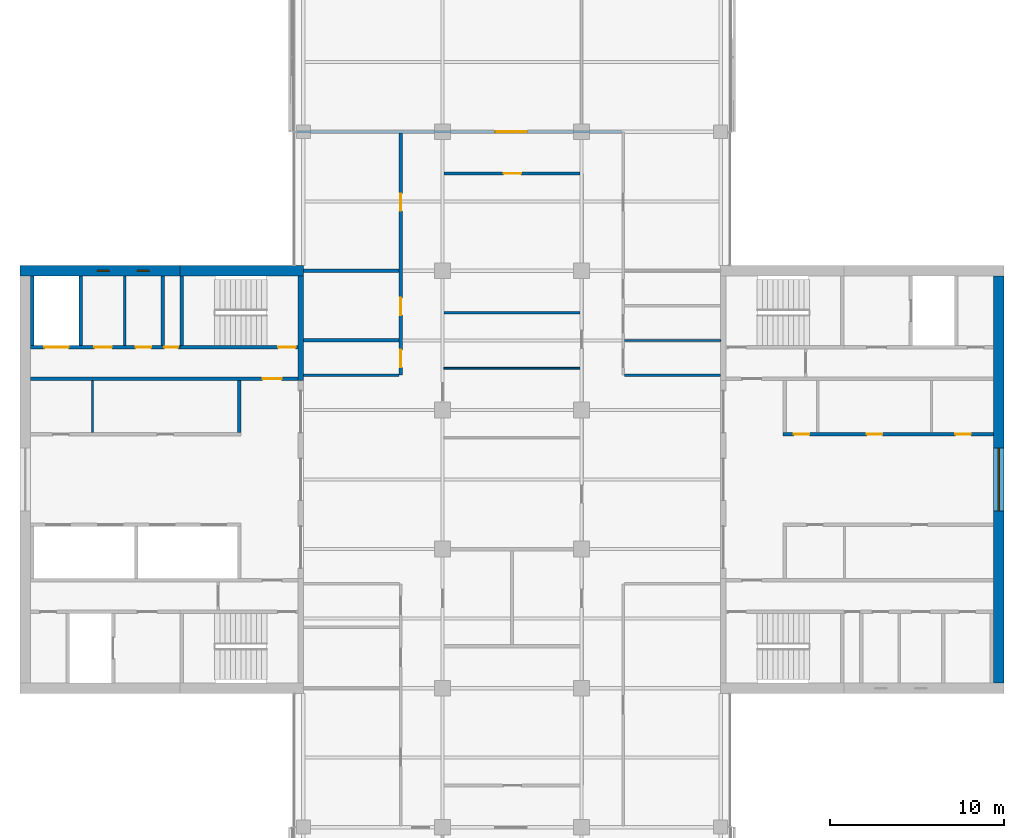
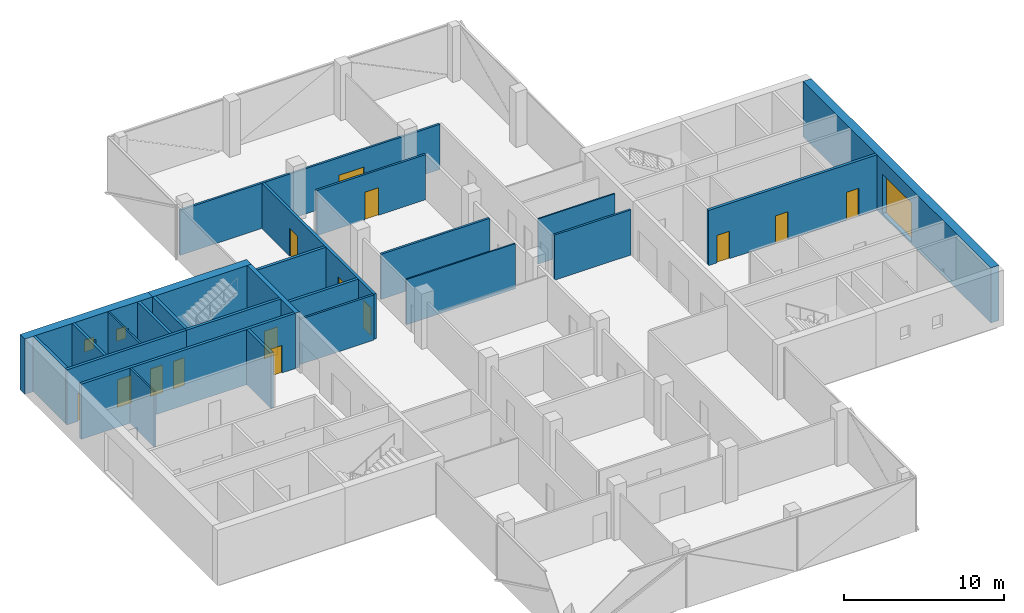
# One storey, part 11 of 15: 25 walls, 14 doors, 3 windows, 17 openings.
"""IFC4 building model written with IfcOpenShell, lengths in metres."""

from ifc_helpers import new_model, si_unit, direction, frame, frame_2d, origin, place, context, subcontext, project, spatial, rectangle, extrude, material, layer, layer_set, constituent, constituent_set, type_object, element, fill, save


model = new_model("IFC4")

# Units and contexts
model_context = context("Model", 3, precision=1e-05, world=origin(), true_north=direction((0.0, 1.0)))
body_context = subcontext(model_context, "Body", "Model", "MODEL_VIEW")
ifc_project = project(units=[si_unit("LENGTHUNIT", "METRE"), si_unit("AREAUNIT", "SQUARE_METRE"), si_unit("VOLUMEUNIT", "CUBIC_METRE"), si_unit("PLANEANGLEUNIT", "RADIAN"), si_unit("MASSUNIT", "GRAM", prefix="KILO")], contexts=[model_context])

# Site, building, storey
site_placement = place(None, origin())
site = spatial("IfcSite", under=ifc_project, at=site_placement, CompositionType="ELEMENT")
building_placement = place(site_placement, origin())
building = spatial("IfcBuilding", under=site, at=building_placement, Name="Crosswind Convention Tower", CompositionType="ELEMENT")
storey_placement = place(building_placement, frame((0.0, 0.0, 229.300048828125)))
storey = spatial("IfcBuildingStorey", under=building, at=storey_placement, Name="L49", CompositionType="ELEMENT", Elevation=229.300048828125)

# Wall
ifc_material_1 = material(Name="Concrete blockwork", Category="masonry")
ifc_layer_1 = layer(ifc_material_1, 0.199951171875)
ifc_layer_set_1 = layer_set([ifc_layer_1], Name="Blockwork partition wall 200")
wall_type_1 = type_object("IfcWallType", Name="Blockwork partition wall 200", PredefinedType="PARTITIONING", material=ifc_layer_set_1)
wall_1_placement = place(storey_placement, frame((104.89990234375, 111.699951171875, 0.0), z_axis=(0.0, 0.0, 1.0), x_axis=(0.0, -1.0, 0.0)))
element("IfcWall", 1, at=wall_1_placement, inside=storey, type_object=wall_type_1, Name="Wall MRSE W L49", PredefinedType="PARTITIONING", context=body_context, shape_type="SweptSolid", body=[
    extrude(rectangle(XDim=4.0, YDim=0.199951171875, at=frame_2d((2.0, 0.0))), origin(), (0.0, 0.0, 1.0), 4.199951171875),
])

# Wall, openings, doors
ifc_layer_2 = layer(ifc_material_1, 0.199951171875)
ifc_layer_set_2 = layer_set([ifc_layer_2], Name="COMPARTMENT WALL 200 BLOCKWORK")
wall_type_2 = type_object("IfcWallType", Name="COMPARTMENT WALL 200 BLOCKWORK", PredefinedType="SOLIDWALL", material=ifc_layer_set_2)
wall_2_placement = place(storey_placement, frame((118.60009765625, 106.0, 0.0), z_axis=(0.0, 0.0, 1.0), x_axis=(0.0, 1.0, 0.0)))
wall_2 = element("IfcWall", 2, at=wall_2_placement, inside=storey, type_object=wall_type_2, Name="Compartment wall WT42", PredefinedType="SOLIDWALL", context=body_context, shape_type="SweptSolid", body=[
    extrude(rectangle(XDim=13.925048828125, YDim=0.199951171875, at=frame_2d((6.96240234375, 0.0))), origin(), (0.0, 0.0, 1.0), 3.439697265625),
])
opening_1_placement = place(wall_2_placement, frame((0.449951171875, 0.0, 0.0)))
opening_1 = element("IfcOpeningElement", 3, at=opening_1_placement, cuts=wall_2, Name="Opening L49-55", PredefinedType="OPENING", context=body_context, shape_type="SweptSolid", body=[
    extrude(rectangle(XDim=1.0, YDim=2.10009765625, at=frame_2d((0.5, 1.050048828125))), frame((0.0, 0.10986328125, 0.0), z_axis=(0.0, -1.0, 0.0), x_axis=(1.0, 0.0, 0.0)), (0.0, 0.0, 1.0), 0.219970703125),
])
opening_2_placement = place(wall_2_placement, frame((3.449951171875, 0.0, 0.0)))
opening_2 = element("IfcOpeningElement", 4, at=opening_2_placement, cuts=wall_2, Name="Opening L49-56", PredefinedType="OPENING", context=body_context, shape_type="SweptSolid", body=[
    extrude(rectangle(XDim=1.0, YDim=2.10009765625, at=frame_2d((0.5, 1.050048828125))), frame((0.0, 0.10986328125, 0.0), z_axis=(0.0, -1.0, 0.0), x_axis=(1.0, 0.0, 0.0)), (0.0, 0.0, 1.0), 0.219970703125),
])
opening_3_placement = place(wall_2_placement, frame((9.449951171875, 0.0, 0.0)))
opening_3 = element("IfcOpeningElement", 5, at=opening_3_placement, cuts=wall_2, Name="Opening L49-57", PredefinedType="OPENING", context=body_context, shape_type="SweptSolid", body=[
    extrude(rectangle(XDim=1.0, YDim=2.10009765625, at=frame_2d((0.5, 1.050048828125))), frame((0.0, 0.10986328125, 0.0), z_axis=(0.0, -1.0, 0.0), x_axis=(1.0, 0.0, 0.0)), (0.0, 0.0, 1.0), 0.219970703125),
])
ifc_material_2 = material(Name="Steel fire door", Category="steel")
door_type_1 = type_object("IfcDoorType", Name="PLANT ROOM DOOR 1000X2100 FD60", OperationType="NOTDEFINED", PredefinedType="DOOR", material=ifc_material_2)
door_1_placement = place(opening_2_placement, origin())
door_1 = element("IfcDoor", 6, at=door_1_placement, inside=storey, type_object=door_type_1, Name="Door L49-56", ObjectType="D43", OperationType="SINGLE_SWING_LEFT", OverallHeight=2.10009765625, OverallWidth=1.0, PredefinedType="DOOR", context=body_context, shape_type="SweptSolid", body=[
    extrude(rectangle(XDim=1.0, YDim=2.10009765625, at=frame_2d((0.5, 1.050048828125))), frame((0.0, 0.02490234375, 0.0), z_axis=(0.0, -1.0, 0.0), x_axis=(1.0, 0.0, 0.0)), (0.0, 0.0, 1.0), 0.050048828125),
])
fill(opening_2, door_1)
ifc_material_3 = material(Name="Timber fire door", Category="wood")
door_type_2 = type_object("IfcDoorType", Name="TENANCY ENTRANCE DOOR 1000X2100 FD30S", OperationType="NOTDEFINED", PredefinedType="DOOR", material=ifc_material_3)
door_2_placement = place(opening_1_placement, origin())
door_2 = element("IfcDoor", 7, at=door_2_placement, inside=storey, type_object=door_type_2, Name="Door L49-55", ObjectType="D41", OperationType="SINGLE_SWING_LEFT", OverallHeight=2.10009765625, OverallWidth=1.0, PredefinedType="DOOR", context=body_context, shape_type="SweptSolid", body=[
    extrude(rectangle(XDim=1.0, YDim=2.10009765625, at=frame_2d((0.5, 1.050048828125))), frame((0.0, 0.02490234375, 0.0), z_axis=(0.0, -1.0, 0.0), x_axis=(1.0, 0.0, 0.0)), (0.0, 0.0, 1.0), 0.050048828125),
])
fill(opening_1, door_2)
door_3_placement = place(opening_3_placement, origin())
door_3 = element("IfcDoor", 8, at=door_3_placement, inside=storey, type_object=door_type_2, Name="Door L49-57", ObjectType="D41", OperationType="SINGLE_SWING_LEFT", OverallHeight=2.10009765625, OverallWidth=1.0, PredefinedType="DOOR", context=body_context, shape_type="SweptSolid", body=[
    extrude(rectangle(XDim=1.0, YDim=2.10009765625, at=frame_2d((0.5, 1.050048828125))), frame((0.0, 0.02490234375, 0.0), z_axis=(0.0, -1.0, 0.0), x_axis=(1.0, 0.0, 0.0)), (0.0, 0.0, 1.0), 0.050048828125),
])
fill(opening_3, door_3)

# Walls
for number, where, z_axis, x_axis, name in (
    (9, (113.0, 108.0, 0.0), (0.0, 0.0, 1.0), (1.0, 0.0, 0.0), "Compartment wall WT42"),
    (10, (113.0, 112.0, 0.0), (0.0, 0.0, 1.0), (1.0, 0.0, 0.0), "Compartment wall WT42"),
):
    element("IfcWall", number, at=place(storey_placement, frame(where, z_axis=z_axis, x_axis=x_axis)), inside=storey, type_object=wall_type_2, Name=name, PredefinedType="SOLIDWALL", context=body_context, shape_type="SweptSolid", body=[
        extrude(rectangle(XDim=5.5, YDim=0.199951171875, at=frame_2d((2.75, 0.0))), origin(), (0.0, 0.0, 1.0), 3.439697265625),
    ])
ifc_material_4 = material(Name="Concrete C50/60", Category="concrete")
ifc_layer_3 = layer(ifc_material_4, 0.300048828125)
ifc_layer_set_3 = layer_set([ifc_layer_3], Name="Concrete C50/60")
wall_type_3 = type_object("IfcWallType", Name="Concrete inner core wall 300", PredefinedType="SHEAR", material=ifc_layer_set_3)
wall_3_placement = place(storey_placement, frame((112.85009765625, 111.699951171875, 0.0), z_axis=(0.0, 0.0, 1.0), x_axis=(0.0, -1.0, 0.0)))
element("IfcWall", 11, at=wall_3_placement, inside=storey, type_object=wall_type_3, Name="Wall EM W L49", PredefinedType="SHEAR", context=body_context, shape_type="SweptSolid", body=[
    extrude(rectangle(XDim=6.0, YDim=0.300048828125, at=frame_2d((3.0, 0.0))), origin(), (0.0, 0.0, 1.0), 4.199951171875),
])

# Wall, openings, doors
ifc_layer_4 = layer(ifc_material_4, 0.199951171875)
ifc_layer_set_4 = layer_set([ifc_layer_4], Name="Concrete C50/60")
wall_type_4 = type_object("IfcWallType", Name="Concrete shaft and stair wall 200", PredefinedType="SHEAR", material=ifc_layer_set_4)
wall_4_placement = place(storey_placement, frame((140.60009765625, 102.60009765625, 0.0), z_axis=(0.0, 0.0, 1.0), x_axis=(1.0, 0.0, 0.0)))
wall_4 = element("IfcWall", 12, at=wall_4_placement, inside=storey, type_object=wall_type_4, Name="Wall RPFRONT E L49", PredefinedType="SHEAR", context=body_context, shape_type="SweptSolid", body=[
    extrude(rectangle(XDim=12.099853515625, YDim=0.199951171875, at=frame_2d((6.0498046875, 0.0))), origin(), (0.0, 0.0, 1.0), 4.199951171875),
])
opening_4_placement = place(wall_4_placement, frame((0.611328125, 0.0, 0.0)))
opening_4 = element("IfcOpeningElement", 13, at=opening_4_placement, cuts=wall_4, Name="Opening D106", PredefinedType="OPENING", context=body_context, shape_type="SweptSolid", body=[
    extrude(rectangle(XDim=0.89990234375, YDim=2.10009765625, at=frame_2d((0.449951171875, 1.050048828125))), frame((0.0, 0.10986328125, 0.0), z_axis=(0.0, -1.0, 0.0), x_axis=(1.0, 0.0, 0.0)), (0.0, 0.0, 1.0), 0.219970703125),
])
opening_5_placement = place(wall_4_placement, frame((4.8076171875, 0.0, 0.0)))
opening_5 = element("IfcOpeningElement", 14, at=opening_5_placement, cuts=wall_4, Name="Opening D106", PredefinedType="OPENING", context=body_context, shape_type="SweptSolid", body=[
    extrude(rectangle(XDim=0.89990234375, YDim=2.10009765625, at=frame_2d((0.449951171875, 1.050048828125))), frame((0.0, 0.10986328125, 0.0), z_axis=(0.0, -1.0, 0.0), x_axis=(1.0, 0.0, 0.0)), (0.0, 0.0, 1.0), 0.219970703125),
])
opening_6_placement = place(wall_4_placement, frame((9.896240234375, 0.0, 0.0)))
opening_6 = element("IfcOpeningElement", 15, at=opening_6_placement, cuts=wall_4, Name="Opening D106", PredefinedType="OPENING", context=body_context, shape_type="SweptSolid", body=[
    extrude(rectangle(XDim=0.89990234375, YDim=2.10009765625, at=frame_2d((0.449951171875, 1.050048828125))), frame((0.0, 0.10986328125, 0.0), z_axis=(0.0, -1.0, 0.0), x_axis=(1.0, 0.0, 0.0)), (0.0, 0.0, 1.0), 0.219970703125),
])
ifc_material_5 = material(Name="Timber door", Category="wood")
door_type_3 = type_object("IfcDoorType", Name="Single leaf door 900x2100", OperationType="NOTDEFINED", PredefinedType="DOOR", material=ifc_material_5)
door_4_placement = place(opening_4_placement, origin())
door_4 = element("IfcDoor", 16, at=door_4_placement, inside=storey, type_object=door_type_3, Name="Door to tenant services room L49", ObjectType="D106", OperationType="SINGLE_SWING_RIGHT", OverallHeight=2.10009765625, OverallWidth=0.89990234375, PredefinedType="DOOR", context=body_context, shape_type="SweptSolid", body=[
    extrude(rectangle(XDim=0.89990234375, YDim=2.10009765625, at=frame_2d((0.449951171875, 1.050048828125))), frame((0.0, 0.02490234375, 0.0), z_axis=(0.0, -1.0, 0.0), x_axis=(1.0, 0.0, 0.0)), (0.0, 0.0, 1.0), 0.050048828125),
])
fill(opening_4, door_4)
door_5_placement = place(opening_5_placement, origin())
door_5 = element("IfcDoor", 17, at=door_5_placement, inside=storey, type_object=door_type_3, Name="Door to copy and print room L49", ObjectType="D106", OperationType="SINGLE_SWING_RIGHT", OverallHeight=2.10009765625, OverallWidth=0.89990234375, PredefinedType="DOOR", context=body_context, shape_type="SweptSolid", body=[
    extrude(rectangle(XDim=0.89990234375, YDim=2.10009765625, at=frame_2d((0.449951171875, 1.050048828125))), frame((0.0, 0.02490234375, 0.0), z_axis=(0.0, -1.0, 0.0), x_axis=(1.0, 0.0, 0.0)), (0.0, 0.0, 1.0), 0.050048828125),
])
fill(opening_5, door_5)
door_6_placement = place(opening_6_placement, origin())
door_6 = element("IfcDoor", 18, at=door_6_placement, inside=storey, type_object=door_type_3, Name="Door to meeting room L49", ObjectType="D106", OperationType="SINGLE_SWING_RIGHT", OverallHeight=2.10009765625, OverallWidth=0.89990234375, PredefinedType="DOOR", context=body_context, shape_type="SweptSolid", body=[
    extrude(rectangle(XDim=0.89990234375, YDim=2.10009765625, at=frame_2d((0.449951171875, 1.050048828125))), frame((0.0, 0.02490234375, 0.0), z_axis=(0.0, -1.0, 0.0), x_axis=(1.0, 0.0, 0.0)), (0.0, 0.0, 1.0), 0.050048828125),
])
fill(opening_6, door_6)

# Wall
wall_5_placement = place(storey_placement, frame((109.300048828125, 105.699951171875, 0.0), z_axis=(0.0, 0.0, 1.0), x_axis=(0.0, -1.0, 0.0)))
element("IfcWall", 19, at=wall_5_placement, inside=storey, type_object=wall_type_4, Name="Wall RMEND W L49", PredefinedType="SHEAR", context=body_context, shape_type="SweptSolid", body=[
    extrude(rectangle(XDim=3.0, YDim=0.199951171875, at=frame_2d((1.5, 0.0))), origin(), (0.0, 0.0, 1.0), 4.199951171875),
])

# Wall, opening, door
wall_6_placement = place(storey_placement, frame((112.699951171875, 105.800048828125, 0.0), z_axis=(0.0, 0.0, 1.0), x_axis=(-1.0, 0.0, 0.0)))
wall_6 = element("IfcWall", 20, at=wall_6_placement, inside=storey, type_object=wall_type_4, Name="Wall HM W L49", PredefinedType="SHEAR", context=body_context, shape_type="SweptSolid", body=[
    extrude(rectangle(XDim=15.39990234375, YDim=0.199951171875, at=frame_2d((7.699951171875, 0.0))), origin(), (0.0, 0.0, 1.0), 4.199951171875),
])
opening_7_placement = place(wall_6_placement, frame((0.949951171875, 0.0, 0.0)))
opening_7 = element("IfcOpeningElement", 21, at=opening_7_placement, cuts=wall_6, Name="Opening D104", PredefinedType="OPENING", context=body_context, shape_type="SweptSolid", body=[
    extrude(rectangle(XDim=1.10009765625, YDim=2.10009765625, at=frame_2d((0.550048828125, 1.050048828125))), frame((0.0, 0.10986328125, 0.0), z_axis=(0.0, -1.0, 0.0), x_axis=(1.0, 0.0, 0.0)), (0.0, 0.0, 1.0), 0.219970703125),
])
door_type_4 = type_object("IfcDoorType", Name="Fire-rated single door 1100x2100", OperationType="NOTDEFINED", PredefinedType="DOOR", material=ifc_material_2)
door_7_placement = place(opening_7_placement, origin())
door_7 = element("IfcDoor", 22, at=door_7_placement, inside=storey, type_object=door_type_4, Name="Corridor door L49", ObjectType="D104", OperationType="SINGLE_SWING_LEFT", OverallHeight=2.10009765625, OverallWidth=1.10009765625, PredefinedType="DOOR", context=body_context, shape_type="SweptSolid", body=[
    extrude(rectangle(XDim=1.10009765625, YDim=2.10009765625, at=frame_2d((0.550048828125, 1.050048828125))), frame((0.0, 0.02490234375, 0.0), z_axis=(0.0, -1.0, 0.0), x_axis=(1.0, 0.0, 0.0)), (0.0, 0.0, 1.0), 0.050048828125),
])
fill(opening_7, door_7)

# Walls
for number, where, z_axis, x_axis, name in (
    (23, (106.0, 111.699951171875, 0.0), (0.0, 0.0, 1.0), (0.0, -1.0, 0.0), "Wall MSE W L49"),
    (24, (100.199951171875, 111.699951171875, 0.0), (0.0, 0.0, 1.0), (0.0, -1.0, 0.0), "Wall MFSW W L49"),
    (25, (97.39990234375, 111.699951171875, 0.0), (0.0, 0.0, 1.0), (0.0, -1.0, 0.0), "Wall MFSE W L49"),
):
    element("IfcWall", number, at=place(storey_placement, frame(where, z_axis=z_axis, x_axis=x_axis)), inside=storey, type_object=wall_type_4, Name=name, PredefinedType="SHEAR", context=body_context, shape_type="SweptSolid", body=[
        extrude(rectangle(XDim=4.0, YDim=0.199951171875, at=frame_2d((2.0, 0.0))), origin(), (0.0, 0.0, 1.0), 4.199951171875),
    ])

# Wall, opening, door
wall_7_placement = place(storey_placement, frame((112.699951171875, 107.60009765625, 0.0), z_axis=(0.0, 0.0, 1.0), x_axis=(-1.0, 0.0, 0.0)))
wall_7 = element("IfcWall", 26, at=wall_7_placement, inside=storey, type_object=wall_type_4, Name="Wall MCW W L49", PredefinedType="SHEAR", context=body_context, shape_type="SweptSolid", body=[
    extrude(rectangle(XDim=6.800048828125, YDim=0.199951171875, at=frame_2d((3.39990234375, 0.0))), origin(), (0.0, 0.0, 1.0), 4.199951171875),
])
opening_8_placement = place(wall_7_placement, frame((0.14990234375, 0.0, 0.0)))
opening_8 = element("IfcOpeningElement", 27, at=opening_8_placement, cuts=wall_7, Name="Opening D103", PredefinedType="OPENING", context=body_context, shape_type="SweptSolid", body=[
    extrude(rectangle(XDim=1.0, YDim=2.10009765625, at=frame_2d((0.5, 1.050048828125))), frame((0.0, 0.10986328125, 0.0), z_axis=(0.0, -1.0, 0.0), x_axis=(1.0, 0.0, 0.0)), (0.0, 0.0, 1.0), 0.219970703125),
])
door_type_5 = type_object("IfcDoorType", Name="Fire-rated single door 1000x2100", OperationType="NOTDEFINED", PredefinedType="DOOR", material=ifc_material_2)
door_8_placement = place(opening_8_placement, frame((1.0, 0.0, 0.0), z_axis=(0.0, 0.0, 1.0), x_axis=(-1.0, 0.0, 0.0)))
door_8 = element("IfcDoor", 28, at=door_8_placement, inside=storey, type_object=door_type_5, Name="Stair ST4 door L49", ObjectType="D103", OperationType="SINGLE_SWING_RIGHT", OverallHeight=2.10009765625, OverallWidth=1.0, PredefinedType="DOOR", context=body_context, shape_type="SweptSolid", body=[
    extrude(rectangle(XDim=1.0, YDim=2.10009765625, at=frame_2d((0.5, 1.050048828125))), frame((0.0, 0.02490234375, 0.0), z_axis=(0.0, -1.0, 0.0), x_axis=(1.0, 0.0, 0.0)), (0.0, 0.0, 1.0), 0.050048828125),
])
fill(opening_8, door_8)

# Wall, openings, doors
wall_8_placement = place(storey_placement, frame((105.89990234375, 107.60009765625, 0.0), z_axis=(0.0, 0.0, 1.0), x_axis=(-1.0, 0.0, 0.0)))
wall_8 = element("IfcWall", 29, at=wall_8_placement, inside=storey, type_object=wall_type_4, Name="Wall MCX W L49", PredefinedType="SHEAR", context=body_context, shape_type="SweptSolid", body=[
    extrude(rectangle(XDim=8.599853515625, YDim=0.199951171875, at=frame_2d((4.2998046875, 0.0))), origin(), (0.0, 0.0, 1.0), 4.199951171875),
])
opening_9_placement = place(wall_8_placement, frame((0.10009765625, 0.0, 0.0)))
opening_9 = element("IfcOpeningElement", 30, at=opening_9_placement, cuts=wall_8, Name="Opening D105", PredefinedType="OPENING", context=body_context, shape_type="SweptSolid", body=[
    extrude(rectangle(XDim=0.800048828125, YDim=2.10009765625, at=frame_2d((0.39990234375, 1.050048828125))), frame((0.0, 0.10986328125, 0.0), z_axis=(0.0, -1.0, 0.0), x_axis=(1.0, 0.0, 0.0)), (0.0, 0.0, 1.0), 0.219970703125),
])
opening_10_placement = place(wall_8_placement, frame((1.65380859375, 0.0, 0.0)))
opening_10 = element("IfcOpeningElement", 31, at=opening_10_placement, cuts=wall_8, Name="Opening D106", PredefinedType="OPENING", context=body_context, shape_type="SweptSolid", body=[
    extrude(rectangle(XDim=0.89990234375, YDim=2.10009765625, at=frame_2d((0.449951171875, 1.050048828125))), frame((0.0, 0.10986328125, 0.0), z_axis=(0.0, -1.0, 0.0), x_axis=(1.0, 0.0, 0.0)), (0.0, 0.0, 1.0), 0.219970703125),
])
opening_11_placement = place(wall_8_placement, frame((3.916259765625, 0.0, 0.0)))
opening_11 = element("IfcOpeningElement", 32, at=opening_11_placement, cuts=wall_8, Name="Opening D103", PredefinedType="OPENING", context=body_context, shape_type="SweptSolid", body=[
    extrude(rectangle(XDim=1.0, YDim=2.10009765625, at=frame_2d((0.5, 1.050048828125))), frame((0.0, 0.10986328125, 0.0), z_axis=(0.0, -1.0, 0.0), x_axis=(1.0, 0.0, 0.0)), (0.0, 0.0, 1.0), 0.219970703125),
])
opening_12_placement = place(wall_8_placement, frame((6.39990234375, 0.0, 0.0)))
opening_12 = element("IfcOpeningElement", 33, at=opening_12_placement, cuts=wall_8, Name="Opening LD2", PredefinedType="OPENING", context=body_context, shape_type="SweptSolid", body=[
    extrude(rectangle(XDim=1.39990234375, YDim=2.10009765625, at=frame_2d((0.699951171875, 1.050048828125))), frame((0.0, 0.10986328125, 0.0), z_axis=(0.0, -1.0, 0.0), x_axis=(1.0, 0.0, 0.0)), (0.0, 0.0, 1.0), 0.219970703125),
])
door_9_placement = place(opening_11_placement, frame((1.0, 0.0, 0.0), z_axis=(0.0, 0.0, 1.0), x_axis=(-1.0, 0.0, 0.0)))
door_9 = element("IfcDoor", 34, at=door_9_placement, inside=storey, type_object=door_type_5, Name="Door to accessible wc L49", ObjectType="D103", OperationType="SINGLE_SWING_LEFT", OverallHeight=2.10009765625, OverallWidth=1.0, PredefinedType="DOOR", context=body_context, shape_type="SweptSolid", body=[
    extrude(rectangle(XDim=1.0, YDim=2.10009765625, at=frame_2d((0.5, 1.050048828125))), frame((0.0, 0.02490234375, 0.0), z_axis=(0.0, -1.0, 0.0), x_axis=(1.0, 0.0, 0.0)), (0.0, 0.0, 1.0), 0.050048828125),
])
fill(opening_11, door_9)
ifc_material_6 = material(Name="Stainless steel", Category="steel")
door_type_6 = type_object("IfcDoorType", Name="Lift landing door 1400x2100", OperationType="DOUBLE_DOOR_SLIDING", PredefinedType="DOOR", material=ifc_material_6)
door_10_placement = place(opening_12_placement, origin())
door_10 = element("IfcDoor", 35, at=door_10_placement, inside=storey, type_object=door_type_6, Name="Landing door SV2 L49", ObjectType="LD2", OperationType="DOUBLE_DOOR_SLIDING", OverallHeight=2.10009765625, OverallWidth=1.39990234375, PredefinedType="DOOR", context=body_context, shape_type="SweptSolid", body=[
    extrude(rectangle(XDim=1.39990234375, YDim=2.10009765625, at=frame_2d((0.699951171875, 1.050048828125))), frame((0.0, 0.02490234375, 0.0), z_axis=(0.0, -1.0, 0.0), x_axis=(1.0, 0.0, 0.0)), (0.0, 0.0, 1.0), 0.050048828125),
])
fill(opening_12, door_10)
door_type_7 = type_object("IfcDoorType", Name="Riser access door 800x2100", OperationType="NOTDEFINED", PredefinedType="DOOR", material=ifc_material_2)
door_11_placement = place(opening_9_placement, frame((0.800048828125, 0.0, 0.0), z_axis=(0.0, 0.0, 1.0), x_axis=(-1.0, 0.0, 0.0)))
door_11 = element("IfcDoor", 36, at=door_11_placement, inside=storey, type_object=door_type_7, Name="Riser door L49", ObjectType="D105", OperationType="SINGLE_SWING_LEFT", OverallHeight=2.10009765625, OverallWidth=0.800048828125, PredefinedType="DOOR", context=body_context, shape_type="SweptSolid", body=[
    extrude(rectangle(XDim=0.800048828125, YDim=2.10009765625, at=frame_2d((0.39990234375, 1.050048828125))), frame((0.0, 0.02490234375, 0.0), z_axis=(0.0, -1.0, 0.0), x_axis=(1.0, 0.0, 0.0)), (0.0, 0.0, 1.0), 0.050048828125),
])
fill(opening_9, door_11)
door_12_placement = place(opening_10_placement, frame((0.89990234375, 0.0, 0.0), z_axis=(0.0, 0.0, 1.0), x_axis=(-1.0, 0.0, 0.0)))
door_12 = element("IfcDoor", 37, at=door_12_placement, inside=storey, type_object=door_type_3, Name="Door to wc L49", ObjectType="D106", OperationType="SINGLE_SWING_LEFT", OverallHeight=2.10009765625, OverallWidth=0.89990234375, PredefinedType="DOOR", context=body_context, shape_type="SweptSolid", body=[
    extrude(rectangle(XDim=0.89990234375, YDim=2.10009765625, at=frame_2d((0.449951171875, 1.050048828125))), frame((0.0, 0.02490234375, 0.0), z_axis=(0.0, -1.0, 0.0), x_axis=(1.0, 0.0, 0.0)), (0.0, 0.0, 1.0), 0.050048828125),
])
fill(opening_10, door_12)

# Walls
ifc_material_7 = material(Name="Gypsum plasterboard partition", Category="gypsum")
ifc_layer_5 = layer(ifc_material_7, 0.125)
ifc_layer_set_5 = layer_set([ifc_layer_5], Name="Drywall partition wall 125")
wall_type_5 = type_object("IfcWallType", Name="Drywall partition wall 125", PredefinedType="PARTITIONING", material=ifc_layer_set_5)
wall_9_placement = place(storey_placement, frame((100.8701171875, 105.699951171875, 0.0), z_axis=(0.0, 0.0, 1.0), x_axis=(0.0, -1.0, 0.0)))
element("IfcWall", 38, at=wall_9_placement, inside=storey, type_object=wall_type_5, Name="Wall RMP1 W L49", PredefinedType="PARTITIONING", context=body_context, shape_type="SweptSolid", body=[
    extrude(rectangle(XDim=3.0, YDim=0.125, at=frame_2d((1.5, 0.0))), origin(), (0.0, 0.0, 1.0), 4.199951171875),
])
wall_10_placement = place(storey_placement, frame((102.72998046875, 111.699951171875, 0.0), z_axis=(0.0, 0.0, 1.0), x_axis=(0.0, -1.0, 0.0)))
element("IfcWall", 39, at=wall_10_placement, inside=storey, type_object=wall_type_5, Name="Wall MWP1 W L49", PredefinedType="PARTITIONING", context=body_context, shape_type="SweptSolid", body=[
    extrude(rectangle(XDim=4.0, YDim=0.125, at=frame_2d((2.0, 0.0))), origin(), (0.0, 0.0, 1.0), 4.199951171875),
])
ifc_material_8 = material(Name="Plasterboard partition", Category="gypsum")
ifc_layer_6 = layer(ifc_material_8, 0.10009765625)
ifc_layer_set_6 = layer_set([ifc_layer_6], Name="PARTITION 100 METAL STUD")
wall_type_6 = type_object("IfcWallType", Name="PARTITION 100 METAL STUD", PredefinedType="PARTITIONING", material=ifc_layer_set_6)
wall_11_placement = place(storey_placement, frame((121.074951171875, 106.39990234375, 0.0), z_axis=(0.0, 0.0, 1.0), x_axis=(1.0, 0.0, 0.0)))
element("IfcWall", 40, at=wall_11_placement, inside=storey, type_object=wall_type_6, Name="Partition wall WT40", PredefinedType="PARTITIONING", context=body_context, shape_type="SweptSolid", body=[
    extrude(rectangle(XDim=7.824951171875, YDim=0.10009765625, at=frame_2d((3.91259765625, 0.0))), origin(), (0.0, 0.0, 1.0), 3.439697265625),
])
wall_12_placement = place(storey_placement, frame((131.47509765625, 108.0, 0.0), z_axis=(0.0, 0.0, 1.0), x_axis=(1.0, 0.0, 0.0)))
element("IfcWall", 41, at=wall_12_placement, inside=storey, type_object=wall_type_6, Name="Partition wall WT40", PredefinedType="PARTITIONING", context=body_context, shape_type="SweptSolid", body=[
    extrude(rectangle(XDim=5.52490234375, YDim=0.10009765625, at=frame_2d((2.762451171875, 0.0))), origin(), (0.0, 0.0, 1.0), 3.439697265625),
])
ifc_material_9 = material(Name="Fire-board partition with mineral wool", Category="gypsum")
ifc_layer_7 = layer(ifc_material_9, 0.14990234375)
ifc_layer_set_7 = layer_set([ifc_layer_7], Name="TENANCY WALL 150 TWO-HOUR BOARD")
wall_type_7 = type_object("IfcWallType", Name="TENANCY WALL 150 TWO-HOUR BOARD", PredefinedType="PARTITIONING", material=ifc_layer_set_7)
wall_13_placement = place(storey_placement, frame((113.0, 106.0, 0.0), z_axis=(0.0, 0.0, 1.0), x_axis=(1.0, 0.0, 0.0)))
element("IfcWall", 42, at=wall_13_placement, inside=storey, type_object=wall_type_7, Name="Tenancy wall WT41", PredefinedType="PARTITIONING", context=body_context, shape_type="SweptSolid", body=[
    extrude(rectangle(XDim=5.5, YDim=0.14990234375, at=frame_2d((2.75, 0.0))), origin(), (0.0, 0.0, 1.0), 3.439697265625),
])
wall_14_placement = place(storey_placement, frame((131.47509765625, 106.0, 0.0), z_axis=(0.0, 0.0, 1.0), x_axis=(1.0, 0.0, 0.0)))
element("IfcWall", 43, at=wall_14_placement, inside=storey, type_object=wall_type_7, Name="Tenancy wall WT41", PredefinedType="PARTITIONING", context=body_context, shape_type="SweptSolid", body=[
    extrude(rectangle(XDim=5.52490234375, YDim=0.14990234375, at=frame_2d((2.762451171875, 0.0))), origin(), (0.0, 0.0, 1.0), 3.439697265625),
])
wall_15_placement = place(storey_placement, frame((121.074951171875, 109.60009765625, 0.0), z_axis=(0.0, 0.0, 1.0), x_axis=(1.0, 0.0, 0.0)))
element("IfcWall", 44, at=wall_15_placement, inside=storey, type_object=wall_type_7, Name="Tenancy wall WT41", PredefinedType="PARTITIONING", context=body_context, shape_type="SweptSolid", body=[
    extrude(rectangle(XDim=7.824951171875, YDim=0.14990234375, at=frame_2d((3.91259765625, 0.0))), origin(), (0.0, 0.0, 1.0), 3.439697265625),
])

# Wall, opening, door
wall_16_placement = place(storey_placement, frame((121.074951171875, 117.60009765625, 0.0), z_axis=(0.0, 0.0, 1.0), x_axis=(1.0, 0.0, 0.0)))
wall_16 = element("IfcWall", 45, at=wall_16_placement, inside=storey, type_object=wall_type_7, Name="Tenancy wall WT41", PredefinedType="PARTITIONING", context=body_context, shape_type="SweptSolid", body=[
    extrude(rectangle(XDim=7.824951171875, YDim=0.14990234375, at=frame_2d((3.91259765625, 0.0))), origin(), (0.0, 0.0, 1.0), 3.439697265625),
])
opening_13_placement = place(wall_16_placement, frame((3.449951171875, 0.0, 0.0)))
opening_13 = element("IfcOpeningElement", 46, at=opening_13_placement, cuts=wall_16, Name="Opening L49-70", PredefinedType="OPENING", context=body_context, shape_type="SweptSolid", body=[
    extrude(rectangle(XDim=1.0, YDim=2.10009765625, at=frame_2d((0.5, 1.050048828125))), frame((0.0, 0.0849609375, 0.0), z_axis=(0.0, -1.0, 0.0), x_axis=(1.0, 0.0, 0.0)), (0.0, 0.0, 1.0), 0.169921875),
])
door_13_placement = place(opening_13_placement, frame((1.0, 0.0, 0.0), z_axis=(0.0, 0.0, 1.0), x_axis=(-1.0, 0.0, 0.0)))
door_13 = element("IfcDoor", 47, at=door_13_placement, inside=storey, type_object=door_type_2, Name="Door L49-70", ObjectType="D41", OperationType="SINGLE_SWING_LEFT", OverallHeight=2.10009765625, OverallWidth=1.0, PredefinedType="DOOR", context=body_context, shape_type="SweptSolid", body=[
    extrude(rectangle(XDim=1.0, YDim=2.10009765625, at=frame_2d((0.5, 1.050048828125))), frame((0.0, 0.02490234375, 0.0), z_axis=(0.0, -1.0, 0.0), x_axis=(1.0, 0.0, 0.0)), (0.0, 0.0, 1.0), 0.050048828125),
])
fill(opening_13, door_13)

wall_17_placement = place(storey_placement, frame((112.6298828125, 120.0, 0.0), z_axis=(0.0, 0.0, 1.0), x_axis=(1.0, 0.0, 0.0)))
wall_17 = element("IfcWall", 48, at=wall_17_placement, inside=storey, type_object=wall_type_7, Name="Tenancy wall WT41", PredefinedType="PARTITIONING", context=body_context, shape_type="SweptSolid", body=[
    extrude(rectangle(XDim=18.695068359375, YDim=0.14990234375, at=frame_2d((9.34765625, 0.0))), origin(), (0.0, 0.0, 1.0), 3.439697265625),
])
opening_14_placement = place(wall_17_placement, frame((11.419921875, 0.0, 0.0)))
opening_14 = element("IfcOpeningElement", 49, at=opening_14_placement, cuts=wall_17, Name="Opening L49-61", PredefinedType="OPENING", context=body_context, shape_type="SweptSolid", body=[
    extrude(rectangle(XDim=1.800048828125, YDim=2.10009765625, at=frame_2d((0.89990234375, 1.050048828125))), frame((0.0, 0.0849609375, 0.0), z_axis=(0.0, -1.0, 0.0), x_axis=(1.0, 0.0, 0.0)), (0.0, 0.0, 1.0), 0.169921875),
])
door_type_8 = type_object("IfcDoorType", Name="TENANCY ENTRANCE DOUBLE DOOR 1800X2100 FD30S", OperationType="DOUBLE_DOOR_SINGLE_SWING", PredefinedType="DOOR", material=ifc_material_3)
door_14_placement = place(opening_14_placement, origin())
door_14 = element("IfcDoor", 50, at=door_14_placement, inside=storey, type_object=door_type_8, Name="Door L49-61", ObjectType="D42", OperationType="DOUBLE_DOOR_SINGLE_SWING", OverallHeight=2.10009765625, OverallWidth=1.800048828125, PredefinedType="DOOR", context=body_context, shape_type="SweptSolid", body=[
    extrude(rectangle(XDim=1.800048828125, YDim=2.10009765625, at=frame_2d((0.89990234375, 1.050048828125))), frame((0.0, 0.02490234375, 0.0), z_axis=(0.0, -1.0, 0.0), x_axis=(1.0, 0.0, 0.0)), (0.0, 0.0, 1.0), 0.050048828125),
])
fill(opening_14, door_14)

# Wall, opening, window
ifc_material_10 = material(Name="Concrete C60/75", Category="concrete")
ifc_constituent_1 = constituent(ifc_material_10, Name="Structure")
ifc_material_11 = material(Name="Terracotta rainscreen", Category="ceramic")
ifc_constituent_2 = constituent(ifc_material_11, Name="Facing")
ifc_constituent_set = constituent_set(constituents=[ifc_constituent_1, ifc_constituent_2], Name="Concrete C60/75, Terracotta rainscreen")
wall_type_8 = type_object("IfcWallType", Name="Terracotta rainscreen on concrete core wall 600", PredefinedType="SHEAR", material=ifc_constituent_set)
wall_18_placement = place(storey_placement, frame((153.0, 88.300048828125, 0.0), z_axis=(0.0, 0.0, 1.0), x_axis=(0.0, 1.0, 0.0)))
wall_18 = element("IfcWall", 51, at=wall_18_placement, inside=storey, type_object=wall_type_8, Name="Wall O E L49", PredefinedType="SHEAR", context=body_context, shape_type="SweptSolid", body=[
    extrude(rectangle(XDim=23.39990234375, YDim=0.60009765625, at=frame_2d((11.699951171875, 0.0))), origin(), (0.0, 0.0, 1.0), 4.199951171875),
])
opening_15_placement = place(wall_18_placement, frame((9.89990234375, 0.0, 0.14990234375)))
opening_15 = element("IfcOpeningElement", 52, at=opening_15_placement, cuts=wall_18, Name="Opening W1", PredefinedType="OPENING", context=body_context, shape_type="SweptSolid", body=[
    extrude(rectangle(XDim=3.60009765625, YDim=3.0, at=frame_2d((1.800048828125, 1.5))), frame((0.0, 0.31005859375, 0.0), z_axis=(0.0, -1.0, 0.0), x_axis=(1.0, 0.0, 0.0)), (0.0, 0.0, 1.0), 0.6201171875),
])
ifc_material_12 = material(Name="Clear laminated glass in aluminium frame", Category="aluminium")
window_type_1 = type_object("IfcWindowType", Name="Lobby end window 3600x3000", PartitioningType="SINGLE_PANEL", PredefinedType="WINDOW", material=ifc_material_12)
window_1_placement = place(opening_15_placement, origin())
window_1 = element("IfcWindow", 53, at=window_1_placement, inside=storey, type_object=window_type_1, Name="Lobby end window L49", ObjectType="W1", OverallHeight=3.0, OverallWidth=3.60009765625, PartitioningType="SINGLE_PANEL", PredefinedType="WINDOW", context=body_context, shape_type="SweptSolid", body=[
    extrude(rectangle(XDim=3.60009765625, YDim=3.0, at=frame_2d((1.800048828125, 1.5))), frame((0.0, 0.030029296875, 0.0), z_axis=(0.0, -1.0, 0.0), x_axis=(1.0, 0.0, 0.0)), (0.0, 0.0, 1.0), 0.06005859375),
])
fill(opening_15, window_1)

# Wall
wall_19_placement = place(storey_placement, frame((113.0, 112.0, 0.0), z_axis=(0.0, 0.0, 1.0), x_axis=(-1.0, 0.0, 0.0)))
element("IfcWall", 54, at=wall_19_placement, inside=storey, type_object=wall_type_8, Name="Wall S1 W L49", PredefinedType="SHEAR", context=body_context, shape_type="SweptSolid", body=[
    extrude(rectangle(XDim=7.10009765625, YDim=0.60009765625, at=frame_2d((3.550048828125, 0.0))), origin(), (0.0, 0.0, 1.0), 4.199951171875),
])

# Wall, openings, windows
wall_20_placement = place(storey_placement, frame((105.89990234375, 112.0, 0.0), z_axis=(0.0, 0.0, 1.0), x_axis=(-1.0, 0.0, 0.0)))
wall_20 = element("IfcWall", 55, at=wall_20_placement, inside=storey, type_object=wall_type_8, Name="Wall S2 W L49", PredefinedType="SHEAR", context=body_context, shape_type="SweptSolid", body=[
    extrude(rectangle(XDim=9.199951171875, YDim=0.60009765625, at=frame_2d((4.60009765625, 0.0))), origin(), (0.0, 0.0, 1.0), 4.199951171875),
])
opening_16_placement = place(wall_20_placement, frame((1.753662109375, 0.0, 1.5)))
opening_16 = element("IfcOpeningElement", 56, at=opening_16_placement, cuts=wall_20, Name="Opening W2", PredefinedType="OPENING", context=body_context, shape_type="SweptSolid", body=[
    extrude(rectangle(XDim=0.699951171875, YDim=0.89990234375, at=frame_2d((0.35009765625, 0.449951171875))), frame((0.0, 0.31005859375, 0.0), z_axis=(0.0, -1.0, 0.0), x_axis=(1.0, 0.0, 0.0)), (0.0, 0.0, 1.0), 0.6201171875),
])
opening_17_placement = place(wall_20_placement, frame((4.066162109375, 0.0, 1.5)))
opening_17 = element("IfcOpeningElement", 57, at=opening_17_placement, cuts=wall_20, Name="Opening W2", PredefinedType="OPENING", context=body_context, shape_type="SweptSolid", body=[
    extrude(rectangle(XDim=0.699951171875, YDim=0.89990234375, at=frame_2d((0.35009765625, 0.449951171875))), frame((0.0, 0.31005859375, 0.0), z_axis=(0.0, -1.0, 0.0), x_axis=(1.0, 0.0, 0.0)), (0.0, 0.0, 1.0), 0.6201171875),
])
ifc_material_13 = material(Name="Obscure glass in aluminium frame", Category="aluminium")
window_type_2 = type_object("IfcWindowType", Name="WC window 700x900", PartitioningType="SINGLE_PANEL", PredefinedType="WINDOW", material=ifc_material_13)
window_2_placement = place(opening_16_placement, origin())
window_2 = element("IfcWindow", 58, at=window_2_placement, inside=storey, type_object=window_type_2, Name="WC window L49", ObjectType="W2", OverallHeight=0.89990234375, OverallWidth=0.699951171875, PartitioningType="SINGLE_PANEL", PredefinedType="WINDOW", context=body_context, shape_type="SweptSolid", body=[
    extrude(rectangle(XDim=0.699951171875, YDim=0.89990234375, at=frame_2d((0.35009765625, 0.449951171875))), frame((0.0, 0.030029296875, 0.0), z_axis=(0.0, -1.0, 0.0), x_axis=(1.0, 0.0, 0.0)), (0.0, 0.0, 1.0), 0.06005859375),
])
fill(opening_16, window_2)
window_3_placement = place(opening_17_placement, origin())
window_3 = element("IfcWindow", 59, at=window_3_placement, inside=storey, type_object=window_type_2, Name="WC window L49", ObjectType="W2", OverallHeight=0.89990234375, OverallWidth=0.699951171875, PartitioningType="SINGLE_PANEL", PredefinedType="WINDOW", context=body_context, shape_type="SweptSolid", body=[
    extrude(rectangle(XDim=0.699951171875, YDim=0.89990234375, at=frame_2d((0.35009765625, 0.449951171875))), frame((0.0, 0.030029296875, 0.0), z_axis=(0.0, -1.0, 0.0), x_axis=(1.0, 0.0, 0.0)), (0.0, 0.0, 1.0), 0.06005859375),
])
fill(opening_17, window_3)

save(model, "model.ifc")
